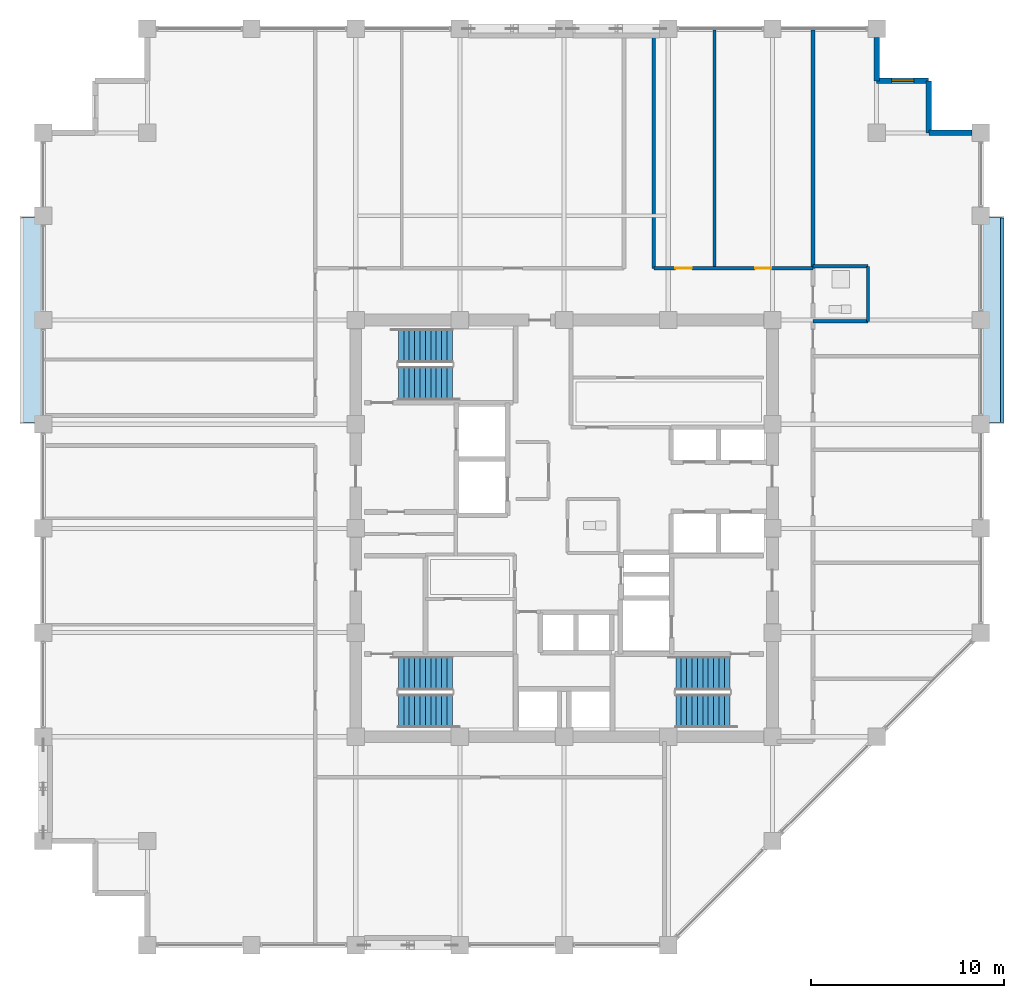
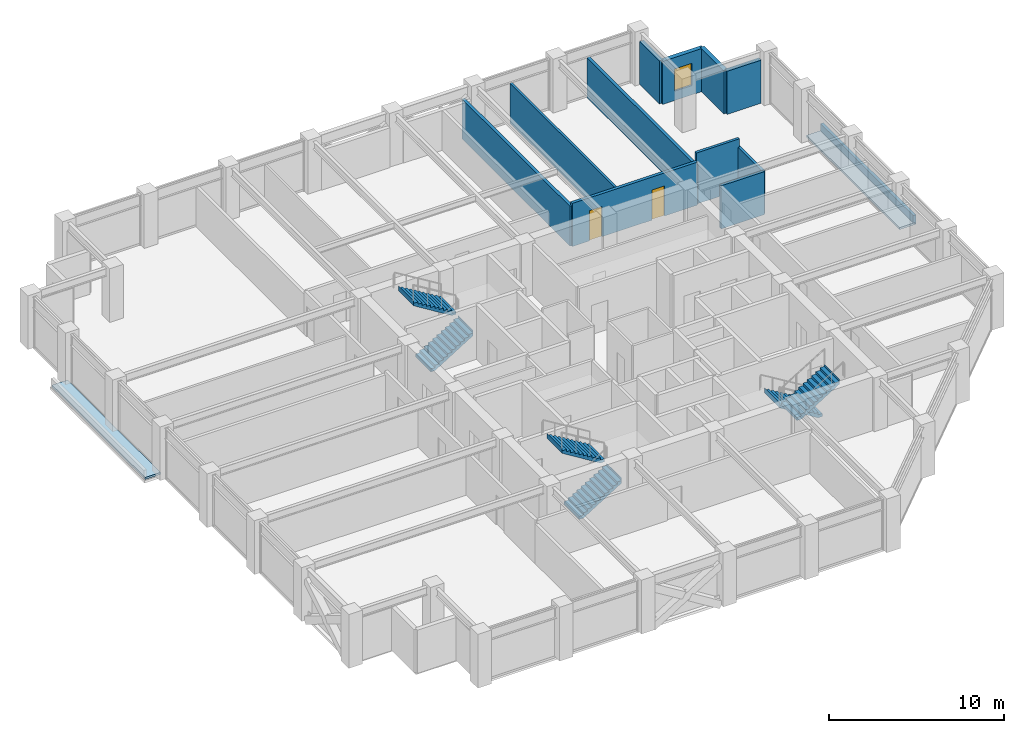
# One storey, part 29 of 31: 12 walls, 6 stair flights, 2 doors, 2 roofs, 1 window, 3 openings, 3 elements without a shape of their own.
"""IFC4 building model written with IfcOpenShell, lengths in metres."""

from ifc_helpers import new_model, si_unit, direction, frame, frame_2d, origin, place, context, subcontext, project, spatial, polyline, rectangle, outline, extrude, material, layer, layer_set, type_object, element, fill, aggregate, save


model = new_model("IFC4")

# Units and contexts
model_context = context("Model", 3, precision=1e-05, world=origin(), true_north=direction((0.0, 1.0)))
body_context = subcontext(model_context, "Body", "Model", "MODEL_VIEW")
ifc_project = project(units=[si_unit("LENGTHUNIT", "METRE"), si_unit("AREAUNIT", "SQUARE_METRE"), si_unit("VOLUMEUNIT", "CUBIC_METRE"), si_unit("PLANEANGLEUNIT", "RADIAN"), si_unit("MASSUNIT", "GRAM", prefix="KILO")], contexts=[model_context])

# Site, building, storey
site_placement = place(None, origin())
site = spatial("IfcSite", under=ifc_project, at=site_placement, CompositionType="ELEMENT")
building_placement = place(site_placement, origin())
building = spatial("IfcBuilding", under=site, at=building_placement, Name="Surkhivell Harbour Commons", CompositionType="ELEMENT")
storey_placement = place(building_placement, frame((0.0, 0.0, 193.5)))
storey = spatial("IfcBuildingStorey", under=building, at=storey_placement, Name="L50", CompositionType="ELEMENT", Elevation=193.5)

# Walls
ifc_material_1 = material(Name="Terracotta-clad reinforced concrete C45/55", Category="masonry")
ifc_layer_1 = layer(ifc_material_1, 0.280029296875)
ifc_layer_set_1 = layer_set([ifc_layer_1], Name="Terracotta-clad reinforced concrete C45/55")
wall_type_1 = type_object("IfcWallType", Name="WAL-EXT-TER280", PredefinedType="STANDARD", material=ifc_layer_set_1)
wall_1_placement = place(storey_placement, frame((21.152099609375, 20.5, 0.0), z_axis=(0.0, 0.0, 1.0), x_axis=(-1.0, 0.0, 0.0)))
element("IfcWall", 1, at=wall_1_placement, inside=storey, type_object=wall_type_1, Name="L50 Serrated Corner Facade Wall 03", PredefinedType="STANDARD", context=body_context, shape_type="SweptSolid", body=[
    extrude(rectangle(XDim=2.252197265625, YDim=0.280029296875, at=frame_2d((1.1259765625, 0.0))), origin(), (0.0, 0.0, 1.0), 3.006103515625),
])
wall_2_placement = place(storey_placement, frame((18.89990234375, 20.5, 0.0), z_axis=(0.0, 0.0, 1.0), x_axis=(0.0, 1.0, 0.0)))
element("IfcWall", 2, at=wall_2_placement, inside=storey, type_object=wall_type_1, Name="L50 Serrated Corner Facade Wall 04", PredefinedType="STANDARD", context=body_context, shape_type="SweptSolid", body=[
    extrude(rectangle(XDim=2.699951171875, YDim=0.280029296875, at=frame_2d((1.35009765625, 0.0))), origin(), (0.0, 0.0, 1.0), 3.006103515625),
])

# Wall, opening, window
wall_3_placement = place(storey_placement, frame((18.89990234375, 23.199951171875, 0.0), z_axis=(0.0, 0.0, 1.0), x_axis=(-1.0, 0.0, 0.0)))
wall_3 = element("IfcWall", 3, at=wall_3_placement, inside=storey, type_object=wall_type_1, Name="L50 Serrated Corner Facade Wall 05", PredefinedType="STANDARD", context=body_context, shape_type="SweptSolid", body=[
    extrude(rectangle(XDim=2.699951171875, YDim=0.280029296875, at=frame_2d((1.35009765625, 0.0))), origin(), (0.0, 0.0, 1.0), 3.006103515625),
])
opening_1_placement = place(wall_3_placement, frame((0.77490234375, 0.0, 0.64990234375)))
opening_1 = element("IfcOpeningElement", 4, at=opening_1_placement, cuts=wall_3, Name="Opening WN-10", PredefinedType="OPENING", context=body_context, shape_type="SweptSolid", body=[
    extrude(rectangle(XDim=1.14990234375, YDim=1.550048828125, at=frame_2d((0.574951171875, 0.77490234375))), frame((0.0, 0.14990234375, 0.0), z_axis=(0.0, -1.0, 0.0), x_axis=(1.0, 0.0, 0.0)), (0.0, 0.0, 1.0), 0.300048828125),
])
ifc_material_2 = material(Name="Thermal-break aluminium frame and double low-E glazing", Category="aluminium")
window_type = type_object("IfcWindowType", Name="WIN-SER-1150x1550", PartitioningType="SINGLE_PANEL", PredefinedType="WINDOW", material=ifc_material_2)
window_placement = place(opening_1_placement, origin())
window = element("IfcWindow", 5, at=window_placement, inside=storey, type_object=window_type, Name="L50 Serrated Alcove Window 05", OverallHeight=1.550048828125, OverallWidth=1.14990234375, PartitioningType="SINGLE_PANEL", PredefinedType="WINDOW", context=body_context, shape_type="SweptSolid", body=[
    extrude(rectangle(XDim=1.14990234375, YDim=1.550048828125, at=frame_2d((0.574951171875, 0.77490234375))), frame((0.0, 0.030029296875, 0.0), z_axis=(0.0, -1.0, 0.0), x_axis=(1.0, 0.0, 0.0)), (0.0, 0.0, 1.0), 0.06005859375),
])
fill(opening_1, window)

# Walls
wall_4_placement = place(storey_placement, frame((16.199951171875, 23.199951171875, 0.0), z_axis=(0.0, 0.0, 1.0), x_axis=(0.0, 1.0, 0.0)))
element("IfcWall", 6, at=wall_4_placement, inside=storey, type_object=wall_type_1, Name="L50 Serrated Corner Facade Wall 06", PredefinedType="STANDARD", context=body_context, shape_type="SweptSolid", body=[
    extrude(rectangle(XDim=2.251953125, YDim=0.280029296875, at=frame_2d((1.1259765625, 0.0))), origin(), (0.0, 0.0, 1.0), 3.006103515625),
])
ifc_material_3 = material(Name="Twin-stud acoustic fireboard partition", Category="other")
ifc_layer_2 = layer(ifc_material_3, 0.14990234375)
ifc_layer_set_2 = layer_set([ifc_layer_2], Name="Twin-stud acoustic fireboard partition")
wall_type_2 = type_object("IfcWallType", Name="WAL-INT-150", PredefinedType="PARTITIONING", material=ifc_layer_set_2)
wall_5_placement = place(storey_placement, frame((7.7900390625, 13.47998046875, 0.0), z_axis=(0.0, 0.0, 1.0), x_axis=(0.0, 1.0, 0.0)))
element("IfcWall", 7, at=wall_5_placement, inside=storey, type_object=wall_type_2, Name="L50 North-East Partition P1", PredefinedType="PARTITIONING", context=body_context, shape_type="SweptSolid", body=[
    extrude(rectangle(XDim=12.360107421875, YDim=0.14990234375, at=frame_2d((6.18017578125, 0.0))), origin(), (0.0, 0.0, 1.0), 2.780029296875),
])
ifc_material_4 = material(Name="High-density acoustic blockwork fire partition", Category="masonry")
ifc_layer_3 = layer(ifc_material_4, 0.175048828125)
ifc_layer_set_3 = layer_set([ifc_layer_3], Name="High-density acoustic blockwork fire partition")
wall_type_3 = type_object("IfcWallType", Name="WAL-INT-175", PredefinedType="PARTITIONING", material=ifc_layer_set_3)
wall_6_placement = place(storey_placement, frame((15.75, 10.72998046875, 0.0), z_axis=(0.0, 0.0, 1.0), x_axis=(0.0, 1.0, 0.0)))
element("IfcWall", 8, at=wall_6_placement, inside=storey, type_object=wall_type_3, Name="L50 East Partition BTHB", PredefinedType="PARTITIONING", context=body_context, shape_type="SweptSolid", body=[
    extrude(rectangle(XDim=2.85009765625, YDim=0.175048828125, at=frame_2d((1.425048828125, 0.0))), origin(), (0.0, 0.0, 1.0), 3.006103515625),
])
wall_7_placement = place(storey_placement, frame((12.89990234375, 13.580078125, 0.0), z_axis=(0.0, 0.0, 1.0), x_axis=(1.0, 0.0, 0.0)))
element("IfcWall", 9, at=wall_7_placement, inside=storey, type_object=wall_type_3, Name="L50 East Partition BTHN", PredefinedType="PARTITIONING", context=body_context, shape_type="SweptSolid", body=[
    extrude(rectangle(XDim=2.85009765625, YDim=0.175048828125, at=frame_2d((1.425048828125, 0.0))), origin(), (0.0, 0.0, 1.0), 3.570068359375),
])
wall_8_placement = place(storey_placement, frame((12.89990234375, 10.72998046875, 0.0), z_axis=(0.0, 0.0, 1.0), x_axis=(1.0, 0.0, 0.0)))
element("IfcWall", 10, at=wall_8_placement, inside=storey, type_object=wall_type_3, Name="L50 East Partition BTHS", PredefinedType="PARTITIONING", context=body_context, shape_type="SweptSolid", body=[
    extrude(rectangle(XDim=2.85009765625, YDim=0.175048828125, at=frame_2d((1.425048828125, 0.0))), origin(), (0.0, 0.0, 1.0), 3.006103515625),
])
ifc_material_5 = material(Name="Autoclaved aerated concrete blockwork and fire plaster", Category="masonry")
ifc_layer_4 = layer(ifc_material_5, 0.199951171875)
ifc_layer_set_4 = layer_set([ifc_layer_4], Name="Autoclaved aerated concrete blockwork and fire plaster")
wall_type_4 = type_object("IfcWallType", Name="WAL-INT-200", PredefinedType="PARTITIONING", material=ifc_layer_set_4)
wall_9_placement = place(storey_placement, frame((12.89990234375, 13.47998046875, 0.0), z_axis=(0.0, 0.0, 1.0), x_axis=(0.0, 1.0, 0.0)))
element("IfcWall", 11, at=wall_9_placement, inside=storey, type_object=wall_type_4, Name="L50 North-East Corner Wall", PredefinedType="PARTITIONING", context=body_context, shape_type="SweptSolid", body=[
    extrude(rectangle(XDim=12.360107421875, YDim=0.199951171875, at=frame_2d((6.18017578125, 0.0))), origin(), (0.0, 0.0, 1.0), 2.780029296875),
])

# Wall, openings, doors
wall_10_placement = place(storey_placement, frame((4.64990234375, 13.47998046875, 0.0), z_axis=(0.0, 0.0, 1.0), x_axis=(1.0, 0.0, 0.0)))
wall_10 = element("IfcWall", 12, at=wall_10_placement, inside=storey, type_object=wall_type_4, Name="L50 Corridor North-East Wall", PredefinedType="PARTITIONING", context=body_context, shape_type="SweptSolid", body=[
    extrude(rectangle(XDim=8.25, YDim=0.199951171875, at=frame_2d((4.125, 0.0))), origin(), (0.0, 0.0, 1.0), 3.006103515625),
])
opening_2_placement = place(wall_10_placement, frame((1.1201171875, 0.0, 0.0)))
opening_2 = element("IfcOpeningElement", 13, at=opening_2_placement, cuts=wall_10, Name="Opening ID-6", PredefinedType="OPENING", context=body_context, shape_type="SweptSolid", body=[
    extrude(rectangle(XDim=0.85009765625, YDim=2.10009765625, at=frame_2d((0.425048828125, 1.050048828125))), frame((0.0, 0.10986328125, 0.0), z_axis=(0.0, -1.0, 0.0), x_axis=(1.0, 0.0, 0.0)), (0.0, 0.0, 1.0), 0.219970703125),
])
opening_3_placement = place(wall_10_placement, frame((5.2451171875, 0.0, 0.0)))
opening_3 = element("IfcOpeningElement", 14, at=opening_3_placement, cuts=wall_10, Name="Opening ID-6", PredefinedType="OPENING", context=body_context, shape_type="SweptSolid", body=[
    extrude(rectangle(XDim=0.85009765625, YDim=2.10009765625, at=frame_2d((0.425048828125, 1.050048828125))), frame((0.0, 0.10986328125, 0.0), z_axis=(0.0, -1.0, 0.0), x_axis=(1.0, 0.0, 0.0)), (0.0, 0.0, 1.0), 0.219970703125),
])
ifc_material_6 = material(Name="Hardwood-veneered fire-rated door leaf", Category="wood")
door_type = type_object("IfcDoorType", Name="DOR-FD30-850", OperationType="NOTDEFINED", PredefinedType="DOOR", material=ifc_material_6)
door_1_placement = place(opening_2_placement, origin())
door_1 = element("IfcDoor", 15, at=door_1_placement, inside=storey, type_object=door_type, Name="L50 Harbour Reading Library North-East Door", OperationType="SINGLE_SWING_LEFT", OverallHeight=2.10009765625, OverallWidth=0.85009765625, PredefinedType="DOOR", context=body_context, shape_type="SweptSolid", body=[
    extrude(rectangle(XDim=0.85009765625, YDim=2.10009765625, at=frame_2d((0.425048828125, 1.050048828125))), frame((0.0, 0.02490234375, 0.0), z_axis=(0.0, -1.0, 0.0), x_axis=(1.0, 0.0, 0.0)), (0.0, 0.0, 1.0), 0.050048828125),
])
fill(opening_2, door_1)
door_2_placement = place(opening_3_placement, origin())
door_2 = element("IfcDoor", 16, at=door_2_placement, inside=storey, type_object=door_type, Name="L50 Communal Dining Hall North-East Door", OperationType="SINGLE_SWING_RIGHT", OverallHeight=2.10009765625, OverallWidth=0.85009765625, PredefinedType="DOOR", context=body_context, shape_type="SweptSolid", body=[
    extrude(rectangle(XDim=0.85009765625, YDim=2.10009765625, at=frame_2d((0.425048828125, 1.050048828125))), frame((0.0, 0.02490234375, 0.0), z_axis=(0.0, -1.0, 0.0), x_axis=(1.0, 0.0, 0.0)), (0.0, 0.0, 1.0), 0.050048828125),
])
fill(opening_3, door_2)

# Walls
wall_11_placement = place(storey_placement, frame((4.64990234375, 13.47998046875, 0.0), z_axis=(0.0, 0.0, 1.0), x_axis=(0.0, 1.0, 0.0)))
element("IfcWall", 17, at=wall_11_placement, inside=storey, type_object=wall_type_4, Name="L50 North Spur East Wall", PredefinedType="PARTITIONING", context=body_context, shape_type="SweptSolid", body=[
    extrude(rectangle(XDim=12.360107421875, YDim=0.199951171875, at=frame_2d((6.18017578125, 0.0))), origin(), (0.0, 0.0, 1.0), 2.780029296875),
])
ifc_material_7 = material(Name="Anodised aluminium and precast concrete C40/50", Category="concrete")
ifc_layer_5 = layer(ifc_material_7, 0.18505859375)
ifc_layer_set_5 = layer_set([ifc_layer_5], Name="Anodised aluminium and precast concrete C40/50")
wall_type_5 = type_object("IfcWallType", Name="WAL-PAR-185", PredefinedType="PARAPET", material=ifc_layer_set_5)
wall_12_placement = place(storey_placement, frame((22.699951171875, 5.5, 0.0), z_axis=(0.0, 0.0, 1.0), x_axis=(0.0, 1.0, 0.0)))
element("IfcWall", 18, at=wall_12_placement, inside=storey, type_object=wall_type_5, Name="L50 Box Roof Coping Parapet 1-1", PredefinedType="PARAPET", context=body_context, shape_type="SweptSolid", body=[
    extrude(rectangle(XDim=10.60009765625, YDim=0.18505859375, at=frame_2d((5.300048828125, 0.0))), origin(), (0.0, 0.0, 1.0), 0.64990234375),
])

# Stair, stair flights
ifc_material_8 = material(Name="Precast concrete C45/55", Category="concrete")
stair_type = type_object("IfcStairType", Name="STR-DL-375", PredefinedType="HALF_TURN_STAIR", material=ifc_material_8)
stair_1_placement = place(storey_placement, origin())
stair_1 = element("IfcStair", 19, at=stair_1_placement, inside=storey, type_object=stair_type, Name="L50 Core Exit Stair ST1", PredefinedType="HALF_TURN_STAIR")
stair_flight_type = type_object("IfcStairFlightType", Name="STF-DL-375", PredefinedType="STRAIGHT", material=ifc_material_8)
stair_flight_1_placement = place(storey_placement, frame((-8.590087890625, 7.514892578125, 0.0), z_axis=(0.0, 0.0, 1.0), x_axis=(1.0, 0.0, 0.0)))
stair_flight_1 = element("IfcStairFlight", 20, at=stair_flight_1_placement, type_object=stair_flight_type, Name="ST1 flight 1", NumberOfRisers=11, NumberOfTreads=10, PredefinedType="STRAIGHT", RiserHeight=0.170454545, TreadLength=0.28, context=body_context, shape_type="SweptSolid", body=[
    extrude(outline(polyline([(-0.0029296875, -0.034912109375), (-0.0029296875, 0.0), (0.0, 0.0), (0.0, 0.17041015625), (0.280029296875, 0.17041015625), (0.280029296875, 0.3408203125), (0.56005859375, 0.3408203125), (0.56005859375, 0.511474609375), (0.840087890625, 0.511474609375), (0.840087890625, 0.681884765625), (1.1201171875, 0.681884765625), (1.1201171875, 0.852294921875), (1.39990234375, 0.852294921875), (1.39990234375, 1.022705078125), (1.679931640625, 1.022705078125), (1.679931640625, 1.193115234375), (1.9599609375, 1.193115234375), (1.9599609375, 1.363525390625), (2.239990234375, 1.363525390625), (2.239990234375, 1.5341796875), (2.52001953125, 1.5341796875), (2.52001953125, 1.70458984375), (2.800048828125, 1.70458984375), (2.800048828125, 1.875), (2.802978515625, 1.875), (2.802978515625, 1.529052734375), (0.288330078125, -0.034912109375), (-0.0029296875, -0.034912109375)])), frame((0.0, 0.875, 0.0), z_axis=(0.0, -1.0, 0.0), x_axis=(1.0, 0.0, 0.0)), (0.0, 0.0, 1.0), 1.75),
])
stair_flight_2_placement = place(storey_placement, frame((-5.7900390625, 9.465087890625, 1.875), z_axis=(0.0, 0.0, 1.0), x_axis=(-1.0, 0.0, 0.0)))
stair_flight_2 = element("IfcStairFlight", 21, at=stair_flight_2_placement, type_object=stair_flight_type, Name="ST1 flight 2", NumberOfRisers=11, NumberOfTreads=10, PredefinedType="STRAIGHT", RiserHeight=0.170454545, TreadLength=0.28, context=body_context, shape_type="SweptSolid", body=[
    extrude(outline(polyline([(-0.0029296875, -0.034912109375), (-0.0029296875, 0.0), (0.0, 0.0), (0.0, 0.17041015625), (0.280029296875, 0.17041015625), (0.280029296875, 0.3408203125), (0.56005859375, 0.3408203125), (0.56005859375, 0.511474609375), (0.840087890625, 0.511474609375), (0.840087890625, 0.681884765625), (1.1201171875, 0.681884765625), (1.1201171875, 0.852294921875), (1.39990234375, 0.852294921875), (1.39990234375, 1.022705078125), (1.679931640625, 1.022705078125), (1.679931640625, 1.193115234375), (1.9599609375, 1.193115234375), (1.9599609375, 1.363525390625), (2.239990234375, 1.363525390625), (2.239990234375, 1.5341796875), (2.52001953125, 1.5341796875), (2.52001953125, 1.70458984375), (2.800048828125, 1.70458984375), (2.800048828125, 1.875), (2.802978515625, 1.875), (2.802978515625, 1.529052734375), (0.288330078125, -0.034912109375), (-0.0029296875, -0.034912109375)])), frame((0.0, 0.875, 0.0), z_axis=(0.0, -1.0, 0.0), x_axis=(1.0, 0.0, 0.0)), (0.0, 0.0, 1.0), 1.75),
])
aggregate(stair_1, [stair_flight_1, stair_flight_2])

stair_2_placement = place(storey_placement, origin())
stair_2 = element("IfcStair", 22, at=stair_2_placement, inside=storey, type_object=stair_type, Name="L50 Core Exit Stair ST2", PredefinedType="HALF_TURN_STAIR")
stair_flight_3_placement = place(storey_placement, frame((8.590087890625, -7.514892578125, 0.0), z_axis=(0.0, 0.0, 1.0), x_axis=(-1.0, 0.0, 0.0)))
stair_flight_3 = element("IfcStairFlight", 23, at=stair_flight_3_placement, type_object=stair_flight_type, Name="ST2 flight 1", NumberOfRisers=11, NumberOfTreads=10, PredefinedType="STRAIGHT", RiserHeight=0.170454545, TreadLength=0.28, context=body_context, shape_type="SweptSolid", body=[
    extrude(outline(polyline([(-0.0029296875, -0.034912109375), (-0.0029296875, 0.0), (0.0, 0.0), (0.0, 0.17041015625), (0.280029296875, 0.17041015625), (0.280029296875, 0.3408203125), (0.56005859375, 0.3408203125), (0.56005859375, 0.511474609375), (0.840087890625, 0.511474609375), (0.840087890625, 0.681884765625), (1.1201171875, 0.681884765625), (1.1201171875, 0.852294921875), (1.39990234375, 0.852294921875), (1.39990234375, 1.022705078125), (1.679931640625, 1.022705078125), (1.679931640625, 1.193115234375), (1.9599609375, 1.193115234375), (1.9599609375, 1.363525390625), (2.239990234375, 1.363525390625), (2.239990234375, 1.5341796875), (2.52001953125, 1.5341796875), (2.52001953125, 1.70458984375), (2.800048828125, 1.70458984375), (2.800048828125, 1.875), (2.802978515625, 1.875), (2.802978515625, 1.529052734375), (0.288330078125, -0.034912109375), (-0.0029296875, -0.034912109375)])), frame((0.0, 0.875, 0.0), z_axis=(0.0, -1.0, 0.0), x_axis=(1.0, 0.0, 0.0)), (0.0, 0.0, 1.0), 1.75),
])
stair_flight_4_placement = place(storey_placement, frame((5.7900390625, -9.465087890625, 1.875), z_axis=(0.0, 0.0, 1.0), x_axis=(1.0, 0.0, 0.0)))
stair_flight_4 = element("IfcStairFlight", 24, at=stair_flight_4_placement, type_object=stair_flight_type, Name="ST2 flight 2", NumberOfRisers=11, NumberOfTreads=10, PredefinedType="STRAIGHT", RiserHeight=0.170454545, TreadLength=0.28, context=body_context, shape_type="SweptSolid", body=[
    extrude(outline(polyline([(-0.0029296875, -0.034912109375), (-0.0029296875, 0.0), (0.0, 0.0), (0.0, 0.17041015625), (0.280029296875, 0.17041015625), (0.280029296875, 0.3408203125), (0.56005859375, 0.3408203125), (0.56005859375, 0.511474609375), (0.840087890625, 0.511474609375), (0.840087890625, 0.681884765625), (1.1201171875, 0.681884765625), (1.1201171875, 0.852294921875), (1.39990234375, 0.852294921875), (1.39990234375, 1.022705078125), (1.679931640625, 1.022705078125), (1.679931640625, 1.193115234375), (1.9599609375, 1.193115234375), (1.9599609375, 1.363525390625), (2.239990234375, 1.363525390625), (2.239990234375, 1.5341796875), (2.52001953125, 1.5341796875), (2.52001953125, 1.70458984375), (2.800048828125, 1.70458984375), (2.800048828125, 1.875), (2.802978515625, 1.875), (2.802978515625, 1.529052734375), (0.288330078125, -0.034912109375), (-0.0029296875, -0.034912109375)])), frame((0.0, 0.875, 0.0), z_axis=(0.0, -1.0, 0.0), x_axis=(1.0, 0.0, 0.0)), (0.0, 0.0, 1.0), 1.75),
])
aggregate(stair_2, [stair_flight_3, stair_flight_4])

stair_3_placement = place(storey_placement, origin())
stair_3 = element("IfcStair", 25, at=stair_3_placement, inside=storey, type_object=stair_type, Name="L50 Core Exit Stair ST3", PredefinedType="HALF_TURN_STAIR")
stair_flight_5_placement = place(storey_placement, frame((-8.590087890625, -9.465087890625, 0.0), z_axis=(0.0, 0.0, 1.0), x_axis=(1.0, 0.0, 0.0)))
stair_flight_5 = element("IfcStairFlight", 26, at=stair_flight_5_placement, type_object=stair_flight_type, Name="ST3 flight 1", NumberOfRisers=11, NumberOfTreads=10, PredefinedType="STRAIGHT", RiserHeight=0.170454545, TreadLength=0.28, context=body_context, shape_type="SweptSolid", body=[
    extrude(outline(polyline([(-0.0029296875, -0.034912109375), (-0.0029296875, 0.0), (0.0, 0.0), (0.0, 0.17041015625), (0.280029296875, 0.17041015625), (0.280029296875, 0.3408203125), (0.56005859375, 0.3408203125), (0.56005859375, 0.511474609375), (0.840087890625, 0.511474609375), (0.840087890625, 0.681884765625), (1.1201171875, 0.681884765625), (1.1201171875, 0.852294921875), (1.39990234375, 0.852294921875), (1.39990234375, 1.022705078125), (1.679931640625, 1.022705078125), (1.679931640625, 1.193115234375), (1.9599609375, 1.193115234375), (1.9599609375, 1.363525390625), (2.239990234375, 1.363525390625), (2.239990234375, 1.5341796875), (2.52001953125, 1.5341796875), (2.52001953125, 1.70458984375), (2.800048828125, 1.70458984375), (2.800048828125, 1.875), (2.802978515625, 1.875), (2.802978515625, 1.529052734375), (0.288330078125, -0.034912109375), (-0.0029296875, -0.034912109375)])), frame((0.0, 0.875, 0.0), z_axis=(0.0, -1.0, 0.0), x_axis=(1.0, 0.0, 0.0)), (0.0, 0.0, 1.0), 1.75),
])
stair_flight_6_placement = place(storey_placement, frame((-5.7900390625, -7.514892578125, 1.875), z_axis=(0.0, 0.0, 1.0), x_axis=(-1.0, 0.0, 0.0)))
stair_flight_6 = element("IfcStairFlight", 27, at=stair_flight_6_placement, type_object=stair_flight_type, Name="ST3 flight 2", NumberOfRisers=11, NumberOfTreads=10, PredefinedType="STRAIGHT", RiserHeight=0.170454545, TreadLength=0.28, context=body_context, shape_type="SweptSolid", body=[
    extrude(outline(polyline([(-0.0029296875, -0.034912109375), (-0.0029296875, 0.0), (0.0, 0.0), (0.0, 0.17041015625), (0.280029296875, 0.17041015625), (0.280029296875, 0.3408203125), (0.56005859375, 0.3408203125), (0.56005859375, 0.511474609375), (0.840087890625, 0.511474609375), (0.840087890625, 0.681884765625), (1.1201171875, 0.681884765625), (1.1201171875, 0.852294921875), (1.39990234375, 0.852294921875), (1.39990234375, 1.022705078125), (1.679931640625, 1.022705078125), (1.679931640625, 1.193115234375), (1.9599609375, 1.193115234375), (1.9599609375, 1.363525390625), (2.239990234375, 1.363525390625), (2.239990234375, 1.5341796875), (2.52001953125, 1.5341796875), (2.52001953125, 1.70458984375), (2.800048828125, 1.70458984375), (2.800048828125, 1.875), (2.802978515625, 1.875), (2.802978515625, 1.529052734375), (0.288330078125, -0.034912109375), (-0.0029296875, -0.034912109375)])), frame((0.0, 0.875, 0.0), z_axis=(0.0, -1.0, 0.0), x_axis=(1.0, 0.0, 0.0)), (0.0, 0.0, 1.0), 1.75),
])
aggregate(stair_3, [stair_flight_5, stair_flight_6])

# Roofs
ifc_material_9 = material(Name="Vermilion-coral and saffron enamelled aluminium box roof cap", Category="aluminium")
ifc_layer_6 = layer(ifc_material_9, 0.139892578125)
ifc_layer_set_6 = layer_set([ifc_layer_6], Name="Vermilion-coral and saffron enamelled aluminium box roof cap")
roof_type = type_object("IfcRoofType", Name="ROF-BOX-CAP", PredefinedType="FLAT_ROOF", material=ifc_layer_set_6)
roof_1_placement = place(storey_placement, origin())
element("IfcRoof", 28, at=roof_1_placement, inside=storey, type_object=roof_type, Name="L50 Closed Coloured Box Roof Cap 1-1", PredefinedType="FLAT_ROOF", context=body_context, shape_type="SweptSolid", body=[
    extrude(outline(polyline([(21.699951171875, 16.1201171875), (21.699951171875, 5.47998046875), (22.719970703125, 5.47998046875), (22.719970703125, 16.1201171875), (21.699951171875, 16.1201171875)])), origin(), (0.0, 0.0, 1.0), 0.139892578125),
])
roof_2_placement = place(storey_placement, origin())
element("IfcRoof", 29, at=roof_2_placement, inside=storey, type_object=roof_type, Name="L50 Closed Coloured Box Roof Cap 2-1", PredefinedType="FLAT_ROOF", context=body_context, shape_type="SweptSolid", body=[
    extrude(outline(polyline([(-27.10009765625, 5.47998046875), (-27.10009765625, 16.1201171875), (-28.1201171875, 16.1201171875), (-28.1201171875, 5.47998046875), (-27.10009765625, 5.47998046875)])), origin(), (0.0, 0.0, 1.0), 0.139892578125),
])

save(model, "model.ifc")
